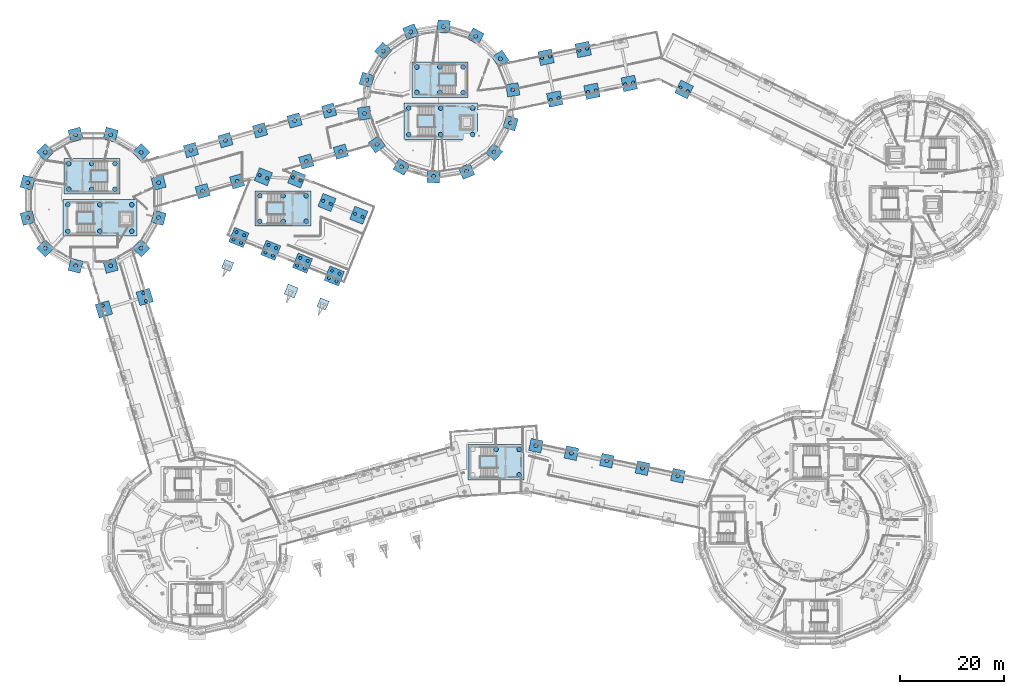
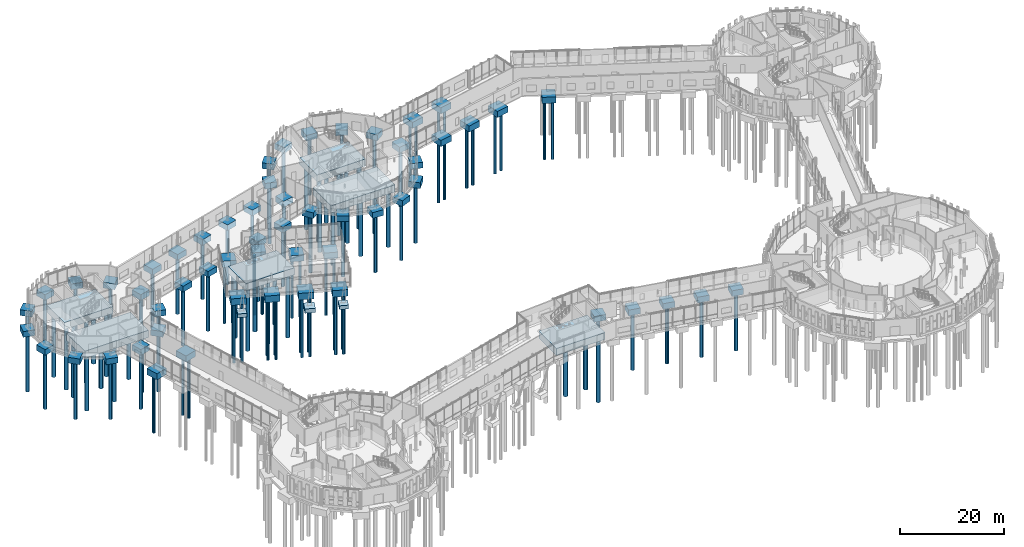
# One storey, part 2 of 113: 112 piles, 65 footings.
"""IFC4 building model written with IfcOpenShell, lengths in metres."""

from ifc_helpers import new_model, si_unit, direction, frame, origin, origin_2d, place, context, subcontext, project, spatial, rectangle, circle, extrude, material, material_profile, profile_set, type_object, element, save


model = new_model("IFC4")

# Units and contexts
model_context = context("Model", 3, precision=1e-05, world=origin(), true_north=direction((0.0, 1.0)))
body_context = subcontext(model_context, "Body", "Model", "MODEL_VIEW")
ifc_project = project(units=[si_unit("LENGTHUNIT", "METRE"), si_unit("AREAUNIT", "SQUARE_METRE"), si_unit("VOLUMEUNIT", "CUBIC_METRE"), si_unit("PLANEANGLEUNIT", "RADIAN"), si_unit("MASSUNIT", "GRAM", prefix="KILO")], contexts=[model_context])

# Site, building, storey
site_placement = place(None, origin())
site = spatial("IfcSite", under=ifc_project, at=site_placement, CompositionType="ELEMENT")
building_placement = place(site_placement, origin())
building = spatial("IfcBuilding", under=site, at=building_placement, Name="Wrenclough Park School", CompositionType="ELEMENT")
storey_placement = place(building_placement, origin())
storey = spatial("IfcBuildingStorey", under=building, at=storey_placement, Name="L00", CompositionType="ELEMENT", Elevation=0.0)

# Footings
ifc_material_1 = material(Name="Concrete C35/45", Category="concrete")
footing_type_1 = type_object("IfcFootingType", Name="STR-PC-02", PredefinedType="PILE_CAP", material=ifc_material_1)
for number, where, z_axis, x_axis, name in (
    (1, (29.105224609375, 92.877685546875, -1.35009765625), (0.0, 0.0, 1.0), (-0.258819045103, 0.965925826289, 0.0), "Column pile cap FTG-DRM-085"),
    (2, (25.727783203125, 98.727783203125, -1.35009765625), (0.0, 0.0, 1.0), (-0.707106781187, 0.707106781187, 0.0), "Column pile cap FTG-DRM-086"),
    (3, (19.877685546875, 102.105224609375, -1.35009765625), (0.0, 0.0, 1.0), (-0.965925826289, 0.258819045103, 0.0), "Column pile cap FTG-DRM-087"),
    (4, (13.122314453125, 102.105224609375, -1.35009765625), (0.0, 0.0, 1.0), (-0.965925826289, -0.258819045103, 0.0), "Column pile cap FTG-DRM-088"),
    (5, (7.272216796875, 98.727783203125, -1.35009765625), (0.0, 0.0, 1.0), (-0.707106781187, -0.707106781187, 0.0), "Column pile cap FTG-DRM-089"),
    (6, (3.894775390625, 92.877685546875, -1.35009765625), (0.0, 0.0, 1.0), (-0.258819045103, -0.965925826289, 0.0), "Column pile cap FTG-DRM-090"),
    (7, (3.894775390625, 86.122314453125, -1.35009765625), (0.0, 0.0, 1.0), (0.258819045103, -0.965925826289, 0.0), "Column pile cap FTG-DRM-091"),
    (8, (7.272216796875, 80.272216796875, -1.35009765625), (0.0, 0.0, 1.0), (0.707106781187, -0.707106781187, 0.0), "Column pile cap FTG-DRM-092"),
    (9, (13.122314453125, 76.894775390625, -1.35009765625), (0.0, 0.0, 1.0), (0.965925826289, -0.258819045103, 0.0), "Column pile cap FTG-DRM-093"),
    (10, (19.877685546875, 76.894775390625, -1.35009765625), (0.0, 0.0, 1.0), (0.965925826289, 0.258819045103, 0.0), "Column pile cap FTG-DRM-094"),
    (11, (25.727783203125, 80.272216796875, -1.35009765625), (0.0, 0.0, 1.0), (0.707106781187, 0.707106781187, 0.0), "Column pile cap FTG-DRM-095"),
    (12, (29.105224609375, 86.122314453125, -1.35009765625), (0.0, 0.0, 1.0), (0.258819045103, 0.965925826289, 0.0), "Column pile cap FTG-DRM-096"),
    (13, (97.272216796875, 110.760498046875, -1.35009765625), (0.0, 0.0, 1.0), (-0.15643446504, 0.987688340595, 0.0), "Column pile cap FTG-DRM-097"),
    (14, (94.8779296875, 116.72900390625, -1.35009765625), (0.0, 0.0, 1.0), (-0.569423005964, 0.822044670489, 0.0), "Column pile cap FTG-DRM-098"),
    (15, (90.131103515625, 121.06787109375, -1.35009765625), (0.0, 0.0, 1.0), (-0.869753437661, 0.493486532416, 0.0), "Column pile cap FTG-DRM-099"),
    (16, (83.971923828125, 122.917236328125, -1.35009765625), (0.0, 0.0, 1.0), (-0.997731519333, 0.067318759124, 0.0), "Column pile cap FTG-DRM-100"),
    (17, (77.620361328125, 121.911376953125, -1.35009765625), (0.0, 0.0, 1.0), (-0.928096422365, -0.372339939832, 0.0), "Column pile cap FTG-DRM-101"),
    (18, (72.334228515625, 118.2490234375, -1.35009765625), (0.0, 0.0, 1.0), (-0.674688949446, -0.738102175512, 0.0), "Column pile cap FTG-DRM-102"),
    (19, (69.160400390625, 112.65576171875, -1.35009765625), (0.0, 0.0, 1.0), (-0.287527687034, -0.957772326385, 0.0), "Column pile cap FTG-DRM-103"),
    (20, (68.727783203125, 106.239501953125, -1.35009765625), (0.0, 0.0, 1.0), (0.15643446504, -0.987688340595, 0.0), "Column pile cap FTG-DRM-104"),
    (21, (71.1220703125, 100.27099609375, -1.35009765625), (0.0, 0.0, 1.0), (0.569423005964, -0.822044670489, 0.0), "Column pile cap FTG-DRM-105"),
    (22, (75.868896484375, 95.93212890625, -1.35009765625), (0.0, 0.0, 1.0), (0.869753437661, -0.493486532416, 0.0), "Column pile cap FTG-DRM-106"),
    (23, (82.028076171875, 94.082763671875, -1.35009765625), (0.0, 0.0, 1.0), (0.997731519333, -0.067318759124, 0.0), "Column pile cap FTG-DRM-107"),
    (24, (88.379638671875, 95.088623046875, -1.35009765625), (0.0, 0.0, 1.0), (0.928096422365, 0.372339939832, 0.0), "Column pile cap FTG-DRM-108"),
    (25, (93.665771484375, 98.7509765625, -1.35009765625), (0.0, 0.0, 1.0), (0.674688949446, 0.738102175512, 0.0), "Column pile cap FTG-DRM-109"),
    (26, (96.839599609375, 104.34423828125, -1.35009765625), (0.0, 0.0, 1.0), (0.287527687034, 0.957772326385, 0.0), "Column pile cap FTG-DRM-110"),
    (27, (101.72265625, 42.2626953125, -1.35009765625), (0.0, 0.0, 1.0), (0.978364788978, -0.206887263232, 0.0), "Column pile cap FTG-DRM-151"),
    (28, (108.555908203125, 40.818115234375, -1.35009765625), (0.0, 0.0, 1.0), (0.978364788978, -0.206887263232, 0.0), "Column pile cap FTG-DRM-153"),
    (29, (115.389404296875, 39.373779296875, -1.35009765625), (0.0, 0.0, 1.0), (0.978364788978, -0.206887263232, 0.0), "Column pile cap FTG-DRM-155"),
    (30, (122.22265625, 37.92919921875, -1.35009765625), (0.0, 0.0, 1.0), (0.978364788978, -0.206887263232, 0.0), "Column pile cap FTG-DRM-157"),
    (31, (129.055908203125, 36.48486328125, -1.35009765625), (0.0, 0.0, 1.0), (0.978364788978, -0.206887263232, 0.0), "Column pile cap FTG-DRM-159"),
    (32, (35.323486328125, 99.14208984375, -1.35009765625), (0.0, 0.0, 1.0), (0.961501868857, 0.27479839189, 0.0), "Column pile cap FTG-DRM-171"),
    (33, (37.576416015625, 91.2578125, -1.35009765625), (0.0, 0.0, 1.0), (0.961501868857, 0.27479839189, 0.0), "Column pile cap FTG-DRM-172"),
    (34, (41.9736328125, 101.042236328125, -1.35009765625), (0.0, 0.0, 1.0), (0.961501868857, 0.27479839189, 0.0), "Column pile cap FTG-DRM-173"),
    (35, (44.226318359375, 93.15771484375, -1.35009765625), (0.0, 0.0, 1.0), (0.961501868857, 0.27479839189, 0.0), "Column pile cap FTG-DRM-174"),
    (36, (48.62353515625, 102.942138671875, -1.35009765625), (0.0, 0.0, 1.0), (0.961501868857, 0.27479839189, 0.0), "Column pile cap FTG-DRM-175"),
    (37, (55.273681640625, 104.84228515625, -1.35009765625), (0.0, 0.0, 1.0), (0.961501868857, 0.27479839189, 0.0), "Column pile cap FTG-DRM-176"),
    (38, (57.5263671875, 96.957763671875, -1.35009765625), (0.0, 0.0, 1.0), (0.961501868857, 0.27479839189, 0.0), "Column pile cap FTG-DRM-177"),
    (39, (61.923583984375, 106.7421875, -1.35009765625), (0.0, 0.0, 1.0), (0.961501868857, 0.27479839189, 0.0), "Column pile cap FTG-DRM-178"),
    (40, (64.176513671875, 98.85791015625, -1.35009765625), (0.0, 0.0, 1.0), (0.961501868857, 0.27479839189, 0.0), "Column pile cap FTG-DRM-179"),
):
    element("IfcFooting", number, at=place(storey_placement, frame(where, z_axis=z_axis, x_axis=x_axis)), inside=storey, type_object=footing_type_1, Name=name, PredefinedType="PILE_CAP", context=body_context, shape_type="SweptSolid", body=[
        extrude(rectangle(XDim=2.39990234375, YDim=2.39990234375, at=origin_2d()), origin(), (0.0, 0.0, 1.0), 1.35009765625),
    ])
footing_type_2 = type_object("IfcFootingType", Name="STR-PC-03", PredefinedType="PILE_CAP", material=ifc_material_1)
for number, where, z_axis, x_axis, name in (
    (41, (49.268798828125, 94.030029296875, -1.4501953125), (0.0, 0.0, 1.0), (0.927183854567, -0.374606593416, 0.0), "Column pile cap FTG-DRM-037"),
    (42, (61.5078125, 89.085205078125, -1.4501953125), (0.0, 0.0, 1.0), (0.927183854567, -0.374606593416, 0.0), "Column pile cap FTG-DRM-040"),
    (43, (67.627197265625, 86.61279296875, -1.4501953125), (0.0, 0.0, 1.0), (0.927183854567, -0.374606593416, 0.0), "Column pile cap FTG-DRM-042"),
    (44, (18.576171875, 68.510986328125, -1.4501953125), (0.0, 0.0, 1.0), (-0.290034140915, 0.957016299288, 0.0), "Column pile cap FTG-DRM-169"),
    (45, (26.423828125, 70.888916015625, -1.4501953125), (0.0, 0.0, 1.0), (-0.290034140915, 0.957016299288, 0.0), "Column pile cap FTG-DRM-170"),
    (46, (103.66015625, 117.012939453125, -1.4501953125), (0.0, 0.0, 1.0), (0.978795946539, 0.204837728554, 0.0), "Column pile cap FTG-DRM-188"),
    (47, (105.33984375, 108.987060546875, -1.4501953125), (0.0, 0.0, 1.0), (0.978795946539, 0.204837728554, 0.0), "Column pile cap FTG-DRM-189"),
    (48, (110.82666015625, 118.512939453125, -1.4501953125), (0.0, 0.0, 1.0), (0.978795946539, 0.204837728554, 0.0), "Column pile cap FTG-DRM-190"),
    (49, (112.506591796875, 110.487060546875, -1.4501953125), (0.0, 0.0, 1.0), (0.978795946539, 0.204837728554, 0.0), "Column pile cap FTG-DRM-191"),
    (50, (119.67333984375, 111.987060546875, -1.4501953125), (0.0, 0.0, 1.0), (0.978795946539, 0.204837728554, 0.0), "Column pile cap FTG-DRM-193"),
    (51, (130.244140625, 110.8251953125, -1.4501953125), (0.0, 0.0, 1.0), (0.896254315973, -0.443540529265, 0.0), "Column pile cap FTG-DRM-195"),
    (52, (55.673828125, 93.59912109375, -1.4501953125), (0.0, 0.0, 1.0), (0.927183854567, -0.374606593416, 0.0), "Column pile cap FTG-DRM-204"),
):
    element("IfcFooting", number, at=place(storey_placement, frame(where, z_axis=z_axis, x_axis=x_axis)), inside=storey, type_object=footing_type_2, Name=name, PredefinedType="PILE_CAP", context=body_context, shape_type="SweptSolid", body=[
        extrude(rectangle(XDim=2.699951171875, YDim=2.699951171875, at=origin_2d()), origin(), (0.0, 0.0, 1.0), 1.449951171875),
    ])
footing_type_3 = type_object("IfcFootingType", Name="STR-PC-04", PredefinedType="PILE_CAP", material=ifc_material_1)
for number, where, z_axis, x_axis, name in (
    (53, (44.548828125, 82.347412109375, -1.5498046875), (0.0, 0.0, 1.0), (0.927183854567, -0.374606593416, 0.0), "Column pile cap FTG-DRM-036"),
    (54, (50.668212890625, 79.875, -1.5498046875), (0.0, 0.0, 1.0), (0.927183854567, -0.374606593416, 0.0), "Column pile cap FTG-DRM-038"),
    (55, (56.78759765625, 77.402587890625, -1.5498046875), (0.0, 0.0, 1.0), (0.927183854567, -0.374606593416, 0.0), "Column pile cap FTG-DRM-039"),
    (56, (62.906982421875, 74.93017578125, -1.5498046875), (0.0, 0.0, 1.0), (0.927183854567, -0.374606593416, 0.0), "Column pile cap FTG-DRM-041"),
):
    element("IfcFooting", number, at=place(storey_placement, frame(where, z_axis=z_axis, x_axis=x_axis)), inside=storey, type_object=footing_type_3, Name=name, PredefinedType="PILE_CAP", context=body_context, shape_type="SweptSolid", body=[
        extrude(rectangle(XDim=3.0, YDim=3.0, at=origin_2d()), origin(), (0.0, 0.0, 1.0), 1.550048828125),
    ])
ifc_material_2 = material(Name="Concrete C40/50", Category="concrete")
footing_type_4 = type_object("IfcFootingType", Name="STR-PC-CORE2", PredefinedType="PILE_CAP", material=ifc_material_2)
for number, where, z_axis, x_axis, name in (
    (57, (17.800048828125, 86.10009765625, -3.5), (0.0, 0.0, 1.0), (1.0, 0.0, 0.0), "Core C3 combined pile cap"),
    (58, (83.39990234375, 104.699951171875, -3.5), (0.0, 0.0, 1.0), (1.0, 0.0, 0.0), "Core C4 combined pile cap"),
):
    element("IfcFooting", number, at=place(storey_placement, frame(where, z_axis=z_axis, x_axis=x_axis)), inside=storey, type_object=footing_type_4, Name=name, PredefinedType="PILE_CAP", context=body_context, shape_type="SweptSolid", body=[
        extrude(rectangle(XDim=14.199951171875, YDim=7.0, at=origin_2d()), origin(), (0.0, 0.0, 1.0), 1.699951171875),
    ])
footing_type_5 = type_object("IfcFootingType", Name="STR-PC-CORE3", PredefinedType="PILE_CAP", material=ifc_material_2)
for number, where, z_axis, x_axis, name in (
    (59, (16.25, 94.10009765625, -1.64990234375), (0.0, 0.0, 1.0), (1.0, 0.0, 0.0), "Core C3B combined pile cap"),
    (60, (83.25, 112.699951171875, -1.64990234375), (0.0, 0.0, 1.0), (1.0, 0.0, 0.0), "Core C4B combined pile cap"),
    (61, (94.050048828125, 39.10009765625, -1.64990234375), (0.0, 0.0, 1.0), (1.0, 0.0, 0.0), "Core C7 combined pile cap"),
    (62, (53.050048828125, 87.89990234375, -1.64990234375), (0.0, 0.0, 1.0), (1.0, 0.0, 0.0), "Core C8 combined pile cap"),
):
    element("IfcFooting", number, at=place(storey_placement, frame(where, z_axis=z_axis, x_axis=x_axis)), inside=storey, type_object=footing_type_5, Name=name, PredefinedType="PILE_CAP", context=body_context, shape_type="SweptSolid", body=[
        extrude(rectangle(XDim=10.800048828125, YDim=6.800048828125, at=origin_2d()), origin(), (0.0, 0.0, 1.0), 1.64990234375),
    ])
footing_type_6 = type_object("IfcFootingType", Name="STR-PF-01", PredefinedType="PAD_FOOTING", material=ifc_material_1)
for number, where, z_axis, x_axis, name in (
    (63, (42.376220703125, 76.9697265625, -0.89990234375), (0.0, 0.0, 1.0), (0.927183854567, -0.374606593416, 0.0), "EAVE-COURTYARD raking strut pad footing 1"),
    (64, (60.734375, 69.552490234375, -0.89990234375), (0.0, 0.0, 1.0), (0.927183854567, -0.374606593416, 0.0), "EAVE-COURTYARD raking strut pad footing 3"),
):
    element("IfcFooting", number, at=place(storey_placement, frame(where, z_axis=z_axis, x_axis=x_axis)), inside=storey, type_object=footing_type_6, Name=name, PredefinedType="PAD_FOOTING", context=body_context, shape_type="SweptSolid", body=[
        extrude(rectangle(XDim=1.800048828125, YDim=1.800048828125, at=origin_2d()), origin(), (0.0, 0.0, 1.0), 0.89990234375),
    ])
footing_type_7 = type_object("IfcFootingType", Name="STR-PF-02", PredefinedType="PAD_FOOTING", material=ifc_material_1)
footing_placement = place(storey_placement, frame((54.614990234375, 72.02490234375, -1.0), z_axis=(0.0, 0.0, 1.0), x_axis=(0.927183854567, -0.374606593416, 0.0)))
element("IfcFooting", 65, at=footing_placement, inside=storey, type_object=footing_type_7, Name="EAVE-COURTYARD raking strut pad footing 2", PredefinedType="PAD_FOOTING", context=body_context, shape_type="SweptSolid", body=[
    extrude(rectangle(XDim=2.10009765625, YDim=2.10009765625, at=origin_2d()), origin(), (0.0, 0.0, 1.0), 1.0),
])

# Piles
ifc_material_profile_1 = material_profile(ifc_material_1, circle(Radius=0.300048828125, at=origin_2d()), Name="BORED PILE D600")
ifc_profile_set_1 = profile_set([ifc_material_profile_1], Name="Concrete C35/45")
pile_type_1 = type_object("IfcPileType", Name="STR-PILE-600", PredefinedType="BORED", material=ifc_profile_set_1)
for number, where, z_axis, x_axis, name in (
    (66, (43.533447265625, 81.91650390625, -1.449951171875), (0.0, 0.0, -1.0), (1.0, 0.0, 0.0), "Rotary bored pile FTG-DRM-036-1"),
    (67, (44.979736328125, 81.33203125, -1.449951171875), (0.0, 0.0, -1.0), (1.0, 0.0, 0.0), "Rotary bored pile FTG-DRM-036-2"),
    (68, (44.117919921875, 83.36279296875, -1.449951171875), (0.0, 0.0, -1.0), (1.0, 0.0, 0.0), "Rotary bored pile FTG-DRM-036-3"),
    (69, (45.564208984375, 82.7783203125, -1.449951171875), (0.0, 0.0, -1.0), (1.0, 0.0, 0.0), "Rotary bored pile FTG-DRM-036-4"),
):
    element("IfcPile", number, at=place(storey_placement, frame(where, z_axis=z_axis, x_axis=x_axis)), inside=storey, type_object=pile_type_1, Name=name, PredefinedType="BORED", context=body_context, shape_type="SweptSolid", body=[
        extrude(circle(Radius=0.300048828125, at=origin_2d()), origin(), (0.0, 0.0, 1.0), 14.050048828125),
    ])
for number, where, z_axis, x_axis, name in (
    (70, (48.545654296875, 94.322265625, -1.35009765625), (0.0, 0.0, -1.0), (1.0, 0.0, 0.0), "Rotary bored pile FTG-DRM-037-1"),
    (71, (49.991943359375, 93.73779296875, -1.35009765625), (0.0, 0.0, -1.0), (1.0, 0.0, 0.0), "Rotary bored pile FTG-DRM-037-2"),
):
    element("IfcPile", number, at=place(storey_placement, frame(where, z_axis=z_axis, x_axis=x_axis)), inside=storey, type_object=pile_type_1, Name=name, PredefinedType="BORED", context=body_context, shape_type="SweptSolid", body=[
        extrude(circle(Radius=0.300048828125, at=origin_2d()), origin(), (0.0, 0.0, 1.0), 14.14990234375),
    ])
for number, where, z_axis, x_axis, name in (
    (72, (49.65283203125, 79.444091796875, -1.449951171875), (0.0, 0.0, -1.0), (1.0, 0.0, 0.0), "Rotary bored pile FTG-DRM-038-1"),
    (73, (51.09912109375, 78.859619140625, -1.449951171875), (0.0, 0.0, -1.0), (1.0, 0.0, 0.0), "Rotary bored pile FTG-DRM-038-2"),
    (74, (50.2373046875, 80.890380859375, -1.449951171875), (0.0, 0.0, -1.0), (1.0, 0.0, 0.0), "Rotary bored pile FTG-DRM-038-3"),
    (75, (51.68359375, 80.305908203125, -1.449951171875), (0.0, 0.0, -1.0), (1.0, 0.0, 0.0), "Rotary bored pile FTG-DRM-038-4"),
    (76, (55.772216796875, 76.9716796875, -1.449951171875), (0.0, 0.0, -1.0), (1.0, 0.0, 0.0), "Rotary bored pile FTG-DRM-039-1"),
    (77, (57.218505859375, 76.38720703125, -1.449951171875), (0.0, 0.0, -1.0), (1.0, 0.0, 0.0), "Rotary bored pile FTG-DRM-039-2"),
    (78, (56.356689453125, 78.41796875, -1.449951171875), (0.0, 0.0, -1.0), (1.0, 0.0, 0.0), "Rotary bored pile FTG-DRM-039-3"),
    (79, (57.802978515625, 77.83349609375, -1.449951171875), (0.0, 0.0, -1.0), (1.0, 0.0, 0.0), "Rotary bored pile FTG-DRM-039-4"),
):
    element("IfcPile", number, at=place(storey_placement, frame(where, z_axis=z_axis, x_axis=x_axis)), inside=storey, type_object=pile_type_1, Name=name, PredefinedType="BORED", context=body_context, shape_type="SweptSolid", body=[
        extrude(circle(Radius=0.300048828125, at=origin_2d()), origin(), (0.0, 0.0, 1.0), 14.050048828125),
    ])
for number, where, z_axis, x_axis, name in (
    (80, (60.784423828125, 89.37744140625, -1.35009765625), (0.0, 0.0, -1.0), (1.0, 0.0, 0.0), "Rotary bored pile FTG-DRM-040-1"),
    (81, (62.23095703125, 88.79296875, -1.35009765625), (0.0, 0.0, -1.0), (1.0, 0.0, 0.0), "Rotary bored pile FTG-DRM-040-2"),
):
    element("IfcPile", number, at=place(storey_placement, frame(where, z_axis=z_axis, x_axis=x_axis)), inside=storey, type_object=pile_type_1, Name=name, PredefinedType="BORED", context=body_context, shape_type="SweptSolid", body=[
        extrude(circle(Radius=0.300048828125, at=origin_2d()), origin(), (0.0, 0.0, 1.0), 14.14990234375),
    ])
for number, where, z_axis, x_axis, name in (
    (82, (61.8916015625, 74.499267578125, -1.449951171875), (0.0, 0.0, -1.0), (1.0, 0.0, 0.0), "Rotary bored pile FTG-DRM-041-1"),
    (83, (63.337890625, 73.914794921875, -1.449951171875), (0.0, 0.0, -1.0), (1.0, 0.0, 0.0), "Rotary bored pile FTG-DRM-041-2"),
    (84, (62.47607421875, 75.945556640625, -1.449951171875), (0.0, 0.0, -1.0), (1.0, 0.0, 0.0), "Rotary bored pile FTG-DRM-041-3"),
    (85, (63.92236328125, 75.361083984375, -1.449951171875), (0.0, 0.0, -1.0), (1.0, 0.0, 0.0), "Rotary bored pile FTG-DRM-041-4"),
):
    element("IfcPile", number, at=place(storey_placement, frame(where, z_axis=z_axis, x_axis=x_axis)), inside=storey, type_object=pile_type_1, Name=name, PredefinedType="BORED", context=body_context, shape_type="SweptSolid", body=[
        extrude(circle(Radius=0.300048828125, at=origin_2d()), origin(), (0.0, 0.0, 1.0), 14.050048828125),
    ])
for number, where, z_axis, x_axis, name in (
    (86, (66.90380859375, 86.905029296875, -1.35009765625), (0.0, 0.0, -1.0), (1.0, 0.0, 0.0), "Rotary bored pile FTG-DRM-042-1"),
    (87, (68.350341796875, 86.320556640625, -1.35009765625), (0.0, 0.0, -1.0), (1.0, 0.0, 0.0), "Rotary bored pile FTG-DRM-042-2"),
    (88, (18.35009765625, 69.257568359375, -1.35009765625), (0.0, 0.0, -1.0), (1.0, 0.0, 0.0), "Rotary bored pile FTG-DRM-169-2"),
    (89, (26.64990234375, 70.142578125, -1.35009765625), (0.0, 0.0, -1.0), (1.0, 0.0, 0.0), "Rotary bored pile FTG-DRM-170-1"),
    (90, (26.197509765625, 71.635498046875, -1.35009765625), (0.0, 0.0, -1.0), (1.0, 0.0, 0.0), "Rotary bored pile FTG-DRM-170-2"),
    (91, (102.896484375, 116.853271484375, -1.35009765625), (0.0, 0.0, -1.0), (1.0, 0.0, 0.0), "Rotary bored pile FTG-DRM-188-1"),
    (92, (104.423583984375, 117.1728515625, -1.35009765625), (0.0, 0.0, -1.0), (1.0, 0.0, 0.0), "Rotary bored pile FTG-DRM-188-2"),
    (93, (104.576416015625, 108.8271484375, -1.35009765625), (0.0, 0.0, -1.0), (1.0, 0.0, 0.0), "Rotary bored pile FTG-DRM-189-1"),
    (94, (106.103515625, 109.146728515625, -1.35009765625), (0.0, 0.0, -1.0), (1.0, 0.0, 0.0), "Rotary bored pile FTG-DRM-189-2"),
    (95, (110.063232421875, 118.353271484375, -1.35009765625), (0.0, 0.0, -1.0), (1.0, 0.0, 0.0), "Rotary bored pile FTG-DRM-190-1"),
    (96, (111.590087890625, 118.6728515625, -1.35009765625), (0.0, 0.0, -1.0), (1.0, 0.0, 0.0), "Rotary bored pile FTG-DRM-190-2"),
    (97, (111.7431640625, 110.3271484375, -1.35009765625), (0.0, 0.0, -1.0), (1.0, 0.0, 0.0), "Rotary bored pile FTG-DRM-191-1"),
    (98, (113.27001953125, 110.646728515625, -1.35009765625), (0.0, 0.0, -1.0), (1.0, 0.0, 0.0), "Rotary bored pile FTG-DRM-191-2"),
    (99, (118.909912109375, 111.8271484375, -1.35009765625), (0.0, 0.0, -1.0), (1.0, 0.0, 0.0), "Rotary bored pile FTG-DRM-193-1"),
    (100, (120.436767578125, 112.146728515625, -1.35009765625), (0.0, 0.0, -1.0), (1.0, 0.0, 0.0), "Rotary bored pile FTG-DRM-193-2"),
    (101, (129.544921875, 111.17138671875, -1.35009765625), (0.0, 0.0, -1.0), (1.0, 0.0, 0.0), "Rotary bored pile FTG-DRM-195-1"),
    (102, (130.943115234375, 110.479248046875, -1.35009765625), (0.0, 0.0, -1.0), (1.0, 0.0, 0.0), "Rotary bored pile FTG-DRM-195-2"),
    (103, (54.95068359375, 93.891357421875, -1.35009765625), (0.0, 0.0, -1.0), (1.0, 0.0, 0.0), "Rotary bored pile FTG-DRM-204-1"),
    (104, (56.397216796875, 93.306884765625, -1.35009765625), (0.0, 0.0, -1.0), (1.0, 0.0, 0.0), "Rotary bored pile FTG-DRM-204-2"),
):
    element("IfcPile", number, at=place(storey_placement, frame(where, z_axis=z_axis, x_axis=x_axis)), inside=storey, type_object=pile_type_1, Name=name, PredefinedType="BORED", context=body_context, shape_type="SweptSolid", body=[
        extrude(circle(Radius=0.300048828125, at=origin_2d()), origin(), (0.0, 0.0, 1.0), 14.14990234375),
    ])
ifc_material_profile_2 = material_profile(ifc_material_1, circle(Radius=0.375, at=origin_2d()), Name="BORED PILE D750")
ifc_profile_set_2 = profile_set([ifc_material_profile_2], Name="Concrete C35/45")
pile_type_2 = type_object("IfcPileType", Name="STR-PILE-750", PredefinedType="BORED", material=ifc_profile_set_2)
for number, where, z_axis, x_axis, name in (
    (105, (29.105224609375, 92.877685546875, -1.25), (0.0, 0.0, -1.0), (1.0, 0.0, 0.0), "Rotary bored pile FTG-DRM-085-1"),
    (106, (25.727783203125, 98.727783203125, -1.25), (0.0, 0.0, -1.0), (1.0, 0.0, 0.0), "Rotary bored pile FTG-DRM-086-1"),
    (107, (19.877685546875, 102.105224609375, -1.25), (0.0, 0.0, -1.0), (1.0, 0.0, 0.0), "Rotary bored pile FTG-DRM-087-1"),
    (108, (13.122314453125, 102.105224609375, -1.25), (0.0, 0.0, -1.0), (1.0, 0.0, 0.0), "Rotary bored pile FTG-DRM-088-1"),
    (109, (7.272216796875, 98.727783203125, -1.25), (0.0, 0.0, -1.0), (1.0, 0.0, 0.0), "Rotary bored pile FTG-DRM-089-1"),
    (110, (3.894775390625, 92.877685546875, -1.25), (0.0, 0.0, -1.0), (1.0, 0.0, 0.0), "Rotary bored pile FTG-DRM-090-1"),
    (111, (3.894775390625, 86.122314453125, -1.25), (0.0, 0.0, -1.0), (1.0, 0.0, 0.0), "Rotary bored pile FTG-DRM-091-1"),
    (112, (7.272216796875, 80.272216796875, -1.25), (0.0, 0.0, -1.0), (1.0, 0.0, 0.0), "Rotary bored pile FTG-DRM-092-1"),
    (113, (13.122314453125, 76.894775390625, -1.25), (0.0, 0.0, -1.0), (1.0, 0.0, 0.0), "Rotary bored pile FTG-DRM-093-1"),
    (114, (19.877685546875, 76.894775390625, -1.25), (0.0, 0.0, -1.0), (1.0, 0.0, 0.0), "Rotary bored pile FTG-DRM-094-1"),
    (115, (25.727783203125, 80.272216796875, -1.25), (0.0, 0.0, -1.0), (1.0, 0.0, 0.0), "Rotary bored pile FTG-DRM-095-1"),
    (116, (29.105224609375, 86.122314453125, -1.25), (0.0, 0.0, -1.0), (1.0, 0.0, 0.0), "Rotary bored pile FTG-DRM-096-1"),
    (117, (97.272216796875, 110.760498046875, -1.25), (0.0, 0.0, -1.0), (1.0, 0.0, 0.0), "Rotary bored pile FTG-DRM-097-1"),
    (118, (94.8779296875, 116.72900390625, -1.25), (0.0, 0.0, -1.0), (1.0, 0.0, 0.0), "Rotary bored pile FTG-DRM-098-1"),
    (119, (90.131103515625, 121.06787109375, -1.25), (0.0, 0.0, -1.0), (1.0, 0.0, 0.0), "Rotary bored pile FTG-DRM-099-1"),
    (120, (83.971923828125, 122.917236328125, -1.25), (0.0, 0.0, -1.0), (1.0, 0.0, 0.0), "Rotary bored pile FTG-DRM-100-1"),
    (121, (77.620361328125, 121.911376953125, -1.25), (0.0, 0.0, -1.0), (1.0, 0.0, 0.0), "Rotary bored pile FTG-DRM-101-1"),
    (122, (72.334228515625, 118.2490234375, -1.25), (0.0, 0.0, -1.0), (1.0, 0.0, 0.0), "Rotary bored pile FTG-DRM-102-1"),
    (123, (69.160400390625, 112.65576171875, -1.25), (0.0, 0.0, -1.0), (1.0, 0.0, 0.0), "Rotary bored pile FTG-DRM-103-1"),
    (124, (68.727783203125, 106.239501953125, -1.25), (0.0, 0.0, -1.0), (1.0, 0.0, 0.0), "Rotary bored pile FTG-DRM-104-1"),
    (125, (71.1220703125, 100.27099609375, -1.25), (0.0, 0.0, -1.0), (1.0, 0.0, 0.0), "Rotary bored pile FTG-DRM-105-1"),
    (126, (75.868896484375, 95.93212890625, -1.25), (0.0, 0.0, -1.0), (1.0, 0.0, 0.0), "Rotary bored pile FTG-DRM-106-1"),
    (127, (82.028076171875, 94.082763671875, -1.25), (0.0, 0.0, -1.0), (1.0, 0.0, 0.0), "Rotary bored pile FTG-DRM-107-1"),
    (128, (88.379638671875, 95.088623046875, -1.25), (0.0, 0.0, -1.0), (1.0, 0.0, 0.0), "Rotary bored pile FTG-DRM-108-1"),
    (129, (93.665771484375, 98.7509765625, -1.25), (0.0, 0.0, -1.0), (1.0, 0.0, 0.0), "Rotary bored pile FTG-DRM-109-1"),
    (130, (96.839599609375, 104.34423828125, -1.25), (0.0, 0.0, -1.0), (1.0, 0.0, 0.0), "Rotary bored pile FTG-DRM-110-1"),
    (131, (101.72265625, 42.2626953125, -1.25), (0.0, 0.0, -1.0), (1.0, 0.0, 0.0), "Rotary bored pile FTG-DRM-151-1"),
    (132, (108.555908203125, 40.818115234375, -1.25), (0.0, 0.0, -1.0), (1.0, 0.0, 0.0), "Rotary bored pile FTG-DRM-153-1"),
    (133, (115.389404296875, 39.373779296875, -1.25), (0.0, 0.0, -1.0), (1.0, 0.0, 0.0), "Rotary bored pile FTG-DRM-155-1"),
    (134, (122.22265625, 37.92919921875, -1.25), (0.0, 0.0, -1.0), (1.0, 0.0, 0.0), "Rotary bored pile FTG-DRM-157-1"),
    (135, (129.055908203125, 36.48486328125, -1.25), (0.0, 0.0, -1.0), (1.0, 0.0, 0.0), "Rotary bored pile FTG-DRM-159-1"),
    (136, (35.323486328125, 99.14208984375, -1.25), (0.0, 0.0, -1.0), (1.0, 0.0, 0.0), "Rotary bored pile FTG-DRM-171-1"),
    (137, (37.576416015625, 91.2578125, -1.25), (0.0, 0.0, -1.0), (1.0, 0.0, 0.0), "Rotary bored pile FTG-DRM-172-1"),
    (138, (41.9736328125, 101.042236328125, -1.25), (0.0, 0.0, -1.0), (1.0, 0.0, 0.0), "Rotary bored pile FTG-DRM-173-1"),
    (139, (44.226318359375, 93.15771484375, -1.25), (0.0, 0.0, -1.0), (1.0, 0.0, 0.0), "Rotary bored pile FTG-DRM-174-1"),
    (140, (48.62353515625, 102.942138671875, -1.25), (0.0, 0.0, -1.0), (1.0, 0.0, 0.0), "Rotary bored pile FTG-DRM-175-1"),
    (141, (55.273681640625, 104.84228515625, -1.25), (0.0, 0.0, -1.0), (1.0, 0.0, 0.0), "Rotary bored pile FTG-DRM-176-1"),
    (142, (57.5263671875, 96.957763671875, -1.25), (0.0, 0.0, -1.0), (1.0, 0.0, 0.0), "Rotary bored pile FTG-DRM-177-1"),
    (143, (61.923583984375, 106.7421875, -1.25), (0.0, 0.0, -1.0), (1.0, 0.0, 0.0), "Rotary bored pile FTG-DRM-178-1"),
    (144, (64.176513671875, 98.85791015625, -1.25), (0.0, 0.0, -1.0), (1.0, 0.0, 0.0), "Rotary bored pile FTG-DRM-179-1"),
):
    element("IfcPile", number, at=place(storey_placement, frame(where, z_axis=z_axis, x_axis=x_axis)), inside=storey, type_object=pile_type_2, Name=name, PredefinedType="BORED", context=body_context, shape_type="SweptSolid", body=[
        extrude(circle(Radius=0.375, at=origin_2d()), origin(), (0.0, 0.0, 1.0), 13.75),
    ])
ifc_material_profile_3 = material_profile(ifc_material_1, circle(Radius=0.449951171875, at=origin_2d()), Name="BORED PILE D900")
ifc_profile_set_3 = profile_set([ifc_material_profile_3], Name="Concrete C35/45")
pile_type_3 = type_object("IfcPileType", Name="STR-PILE-900", PredefinedType="BORED", material=ifc_profile_set_3)
for number, where, z_axis, x_axis, name in (
    (145, (11.64990234375, 83.550048828125, -3.39990234375), (0.0, 0.0, -1.0), (1.0, 0.0, 0.0), "Core C3 rotary bored pile 1"),
    (146, (11.64990234375, 88.64990234375, -3.39990234375), (0.0, 0.0, -1.0), (1.0, 0.0, 0.0), "Core C3 rotary bored pile 2"),
    (147, (17.800048828125, 83.550048828125, -3.39990234375), (0.0, 0.0, -1.0), (1.0, 0.0, 0.0), "Core C3 rotary bored pile 3"),
    (148, (17.800048828125, 88.64990234375, -3.39990234375), (0.0, 0.0, -1.0), (1.0, 0.0, 0.0), "Core C3 rotary bored pile 4"),
    (149, (23.949951171875, 83.550048828125, -3.39990234375), (0.0, 0.0, -1.0), (1.0, 0.0, 0.0), "Core C3 rotary bored pile 5"),
    (150, (23.949951171875, 88.64990234375, -3.39990234375), (0.0, 0.0, -1.0), (1.0, 0.0, 0.0), "Core C3 rotary bored pile 6"),
):
    element("IfcPile", number, at=place(storey_placement, frame(where, z_axis=z_axis, x_axis=x_axis)), inside=storey, type_object=pile_type_3, Name=name, PredefinedType="BORED", context=body_context, shape_type="SweptSolid", body=[
        extrude(circle(Radius=0.449951171875, at=origin_2d()), origin(), (0.0, 0.0, 1.0), 13.10009765625),
    ])
for number, where, z_axis, x_axis, name in (
    (151, (11.800048828125, 91.64990234375, -1.550048828125), (0.0, 0.0, -1.0), (1.0, 0.0, 0.0), "Core C3B rotary bored pile 1"),
    (152, (11.800048828125, 96.550048828125, -1.550048828125), (0.0, 0.0, -1.0), (1.0, 0.0, 0.0), "Core C3B rotary bored pile 2"),
    (153, (16.25, 91.64990234375, -1.550048828125), (0.0, 0.0, -1.0), (1.0, 0.0, 0.0), "Core C3B rotary bored pile 3"),
    (154, (16.25, 96.550048828125, -1.550048828125), (0.0, 0.0, -1.0), (1.0, 0.0, 0.0), "Core C3B rotary bored pile 4"),
    (155, (20.699951171875, 91.64990234375, -1.550048828125), (0.0, 0.0, -1.0), (1.0, 0.0, 0.0), "Core C3B rotary bored pile 5"),
    (156, (20.699951171875, 96.550048828125, -1.550048828125), (0.0, 0.0, -1.0), (1.0, 0.0, 0.0), "Core C3B rotary bored pile 6"),
):
    element("IfcPile", number, at=place(storey_placement, frame(where, z_axis=z_axis, x_axis=x_axis)), inside=storey, type_object=pile_type_3, Name=name, PredefinedType="BORED", context=body_context, shape_type="SweptSolid", body=[
        extrude(circle(Radius=0.449951171875, at=origin_2d()), origin(), (0.0, 0.0, 1.0), 14.949951171875),
    ])
for number, where, z_axis, x_axis, name in (
    (157, (77.25, 102.14990234375, -3.39990234375), (0.0, 0.0, -1.0), (1.0, 0.0, 0.0), "Core C4 rotary bored pile 1"),
    (158, (77.25, 107.25, -3.39990234375), (0.0, 0.0, -1.0), (1.0, 0.0, 0.0), "Core C4 rotary bored pile 2"),
    (159, (83.39990234375, 102.14990234375, -3.39990234375), (0.0, 0.0, -1.0), (1.0, 0.0, 0.0), "Core C4 rotary bored pile 3"),
    (160, (83.39990234375, 107.25, -3.39990234375), (0.0, 0.0, -1.0), (1.0, 0.0, 0.0), "Core C4 rotary bored pile 4"),
    (161, (89.550048828125, 102.14990234375, -3.39990234375), (0.0, 0.0, -1.0), (1.0, 0.0, 0.0), "Core C4 rotary bored pile 5"),
    (162, (89.550048828125, 107.25, -3.39990234375), (0.0, 0.0, -1.0), (1.0, 0.0, 0.0), "Core C4 rotary bored pile 6"),
):
    element("IfcPile", number, at=place(storey_placement, frame(where, z_axis=z_axis, x_axis=x_axis)), inside=storey, type_object=pile_type_3, Name=name, PredefinedType="BORED", context=body_context, shape_type="SweptSolid", body=[
        extrude(circle(Radius=0.449951171875, at=origin_2d()), origin(), (0.0, 0.0, 1.0), 13.10009765625),
    ])
for number, where, z_axis, x_axis, name in (
    (163, (78.800048828125, 110.25, -1.550048828125), (0.0, 0.0, -1.0), (1.0, 0.0, 0.0), "Core C4B rotary bored pile 1"),
    (164, (78.800048828125, 115.14990234375, -1.550048828125), (0.0, 0.0, -1.0), (1.0, 0.0, 0.0), "Core C4B rotary bored pile 2"),
    (165, (83.25, 110.25, -1.550048828125), (0.0, 0.0, -1.0), (1.0, 0.0, 0.0), "Core C4B rotary bored pile 3"),
    (166, (83.25, 115.14990234375, -1.550048828125), (0.0, 0.0, -1.0), (1.0, 0.0, 0.0), "Core C4B rotary bored pile 4"),
    (167, (87.699951171875, 110.25, -1.550048828125), (0.0, 0.0, -1.0), (1.0, 0.0, 0.0), "Core C4B rotary bored pile 5"),
    (168, (87.699951171875, 115.14990234375, -1.550048828125), (0.0, 0.0, -1.0), (1.0, 0.0, 0.0), "Core C4B rotary bored pile 6"),
    (169, (94.050048828125, 41.550048828125, -1.550048828125), (0.0, 0.0, -1.0), (1.0, 0.0, 0.0), "Core C7 rotary bored pile 4"),
    (170, (98.5, 36.64990234375, -1.550048828125), (0.0, 0.0, -1.0), (1.0, 0.0, 0.0), "Core C7 rotary bored pile 5"),
    (171, (98.5, 41.550048828125, -1.550048828125), (0.0, 0.0, -1.0), (1.0, 0.0, 0.0), "Core C7 rotary bored pile 6"),
    (172, (48.60009765625, 85.449951171875, -1.550048828125), (0.0, 0.0, -1.0), (1.0, 0.0, 0.0), "Core C8 rotary bored pile 1"),
    (173, (48.60009765625, 90.35009765625, -1.550048828125), (0.0, 0.0, -1.0), (1.0, 0.0, 0.0), "Core C8 rotary bored pile 2"),
    (174, (53.050048828125, 85.449951171875, -1.550048828125), (0.0, 0.0, -1.0), (1.0, 0.0, 0.0), "Core C8 rotary bored pile 3"),
    (175, (53.050048828125, 90.35009765625, -1.550048828125), (0.0, 0.0, -1.0), (1.0, 0.0, 0.0), "Core C8 rotary bored pile 4"),
    (176, (57.5, 85.449951171875, -1.550048828125), (0.0, 0.0, -1.0), (1.0, 0.0, 0.0), "Core C8 rotary bored pile 5"),
    (177, (57.5, 90.35009765625, -1.550048828125), (0.0, 0.0, -1.0), (1.0, 0.0, 0.0), "Core C8 rotary bored pile 6"),
):
    element("IfcPile", number, at=place(storey_placement, frame(where, z_axis=z_axis, x_axis=x_axis)), inside=storey, type_object=pile_type_3, Name=name, PredefinedType="BORED", context=body_context, shape_type="SweptSolid", body=[
        extrude(circle(Radius=0.449951171875, at=origin_2d()), origin(), (0.0, 0.0, 1.0), 14.949951171875),
    ])

save(model, "model.ifc")
